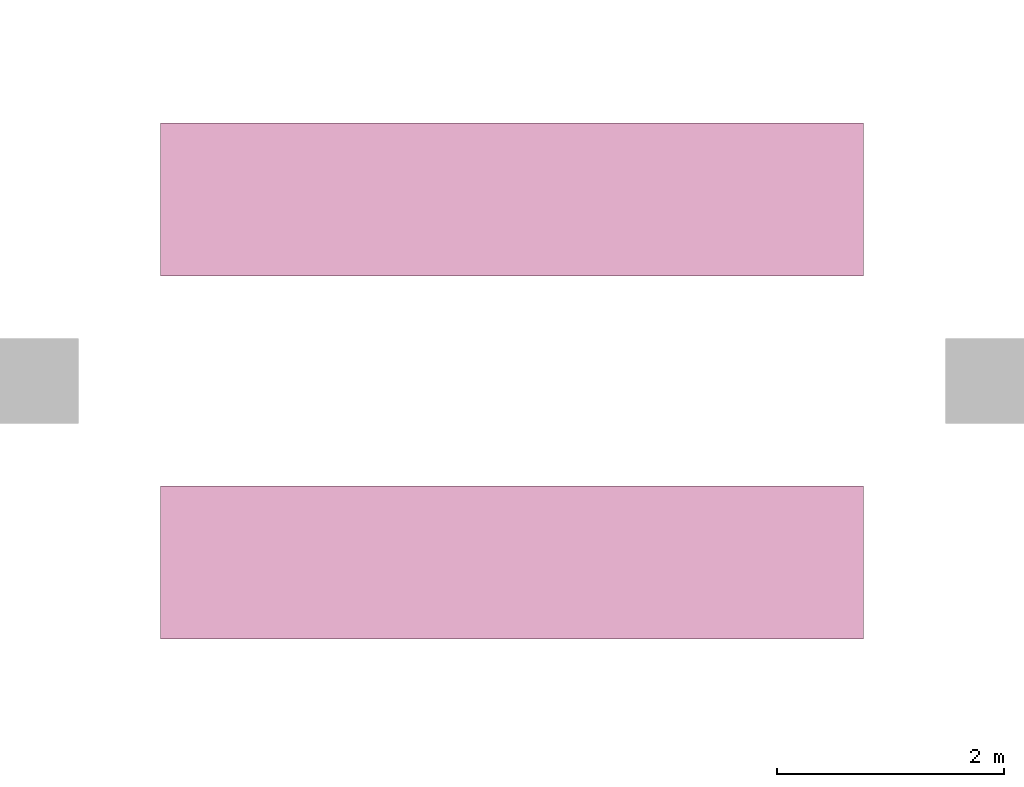
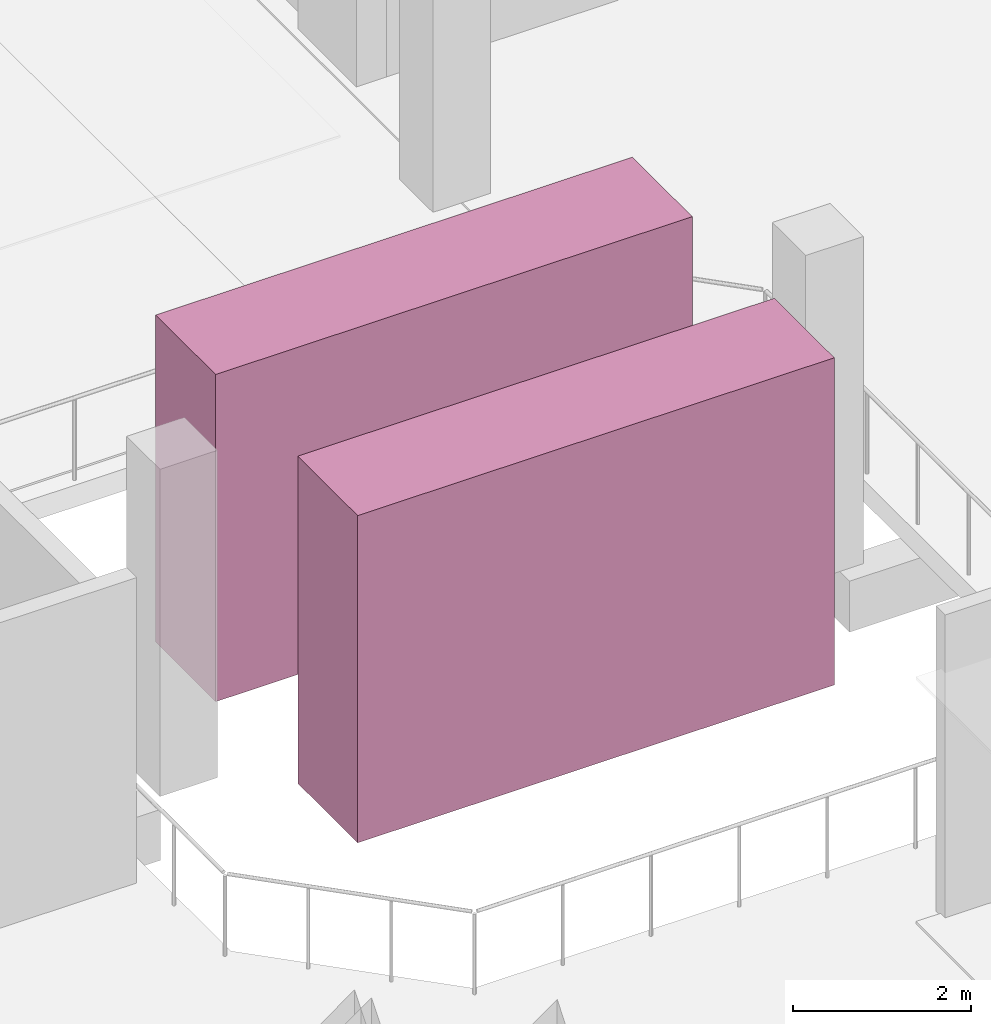
# One storey, part 30 of 30: 2 transport elements.
"""IFC4 building model written with IfcOpenShell, lengths in metres."""

from ifc_helpers import new_model, si_unit, direction, frame, origin, origin_2d, place, context, subcontext, project, spatial, rectangle, extrude, material, type_object, element, save


model = new_model("IFC4")

# Units and contexts
model_context = context("Model", 3, precision=1e-05, world=origin(), true_north=direction((0.0, 1.0)))
body_context = subcontext(model_context, "Body", "Model", "MODEL_VIEW")
ifc_project = project(units=[si_unit("LENGTHUNIT", "METRE"), si_unit("AREAUNIT", "SQUARE_METRE"), si_unit("VOLUMEUNIT", "CUBIC_METRE"), si_unit("PLANEANGLEUNIT", "RADIAN"), si_unit("MASSUNIT", "GRAM", prefix="KILO")], contexts=[model_context])

# Site, building, storey
site_placement = place(None, origin())
site = spatial("IfcSite", under=ifc_project, at=site_placement, CompositionType="ELEMENT")
building_placement = place(site_placement, origin())
building = spatial("IfcBuilding", under=site, at=building_placement, Name="Xazarin Passage Department Store", CompositionType="ELEMENT")
storey_placement = place(building_placement, frame((0.0, 0.0, 23.39990234375)))
storey = spatial("IfcBuildingStorey", under=building, at=storey_placement, Name="L05", CompositionType="ELEMENT", Elevation=23.39990234375)

# Transport elements
ifc_material = material(Name="Steel S355", Category="steel")
transport_element_type = type_object("IfcTransportElementType", Name="ARC-TR-ESC1000", PredefinedType="ESCALATOR", material=ifc_material)
for number, where, z_axis, x_axis, name in (
    (1, (21.0, 91.60009765625, 0.0), (0.0, 0.0, 1.0), (1.0, 0.0, 0.0), "L05 Escalator ES11"),
    (2, (21.0, 94.800048828125, 0.0), (0.0, 0.0, 1.0), (1.0, 0.0, 0.0), "L05 Escalator ES12"),
):
    element("IfcTransportElement", number, at=place(storey_placement, frame(where, z_axis=z_axis, x_axis=x_axis)), inside=storey, type_object=transport_element_type, Name=name, PredefinedType="ESCALATOR", context=body_context, shape_type="SweptSolid", body=[
        extrude(rectangle(XDim=6.199951171875, YDim=1.35009765625, at=origin_2d()), origin(), (0.0, 0.0, 1.0), 4.5),
    ])

save(model, "model.ifc")
